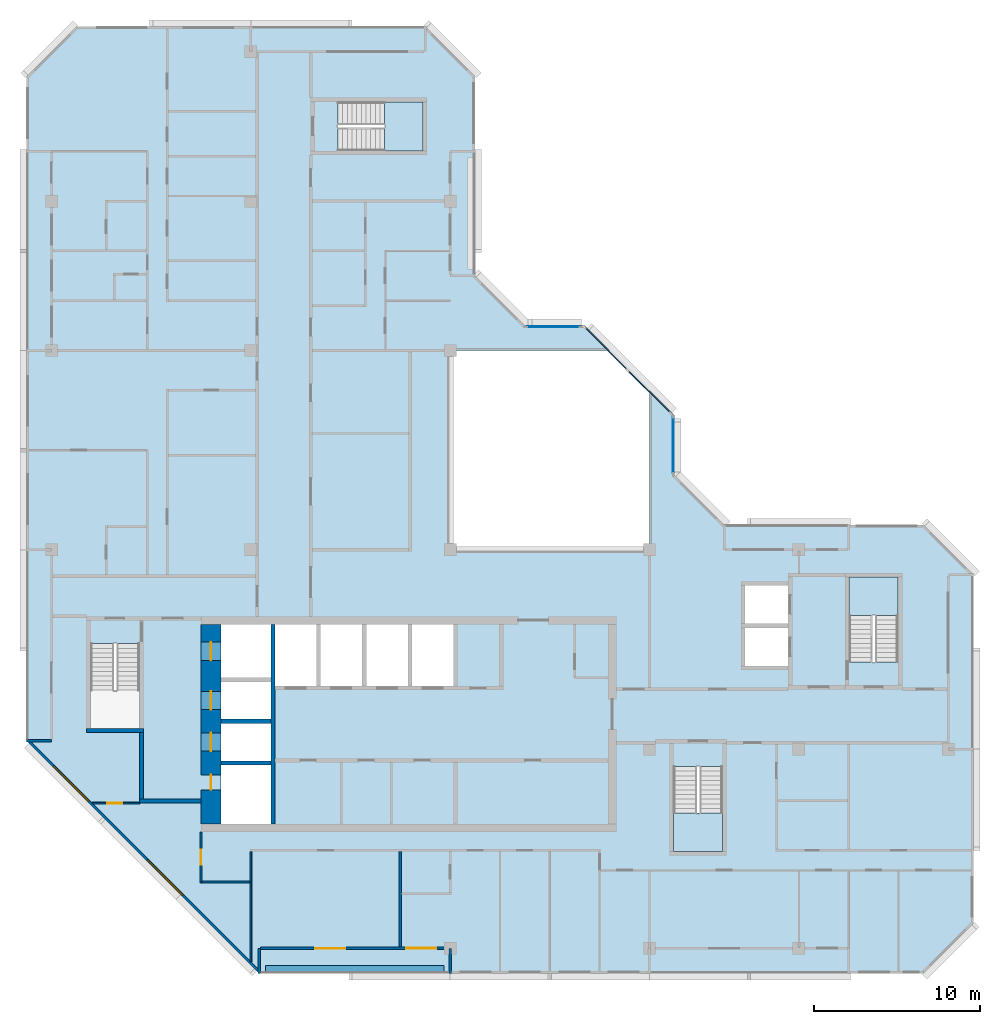
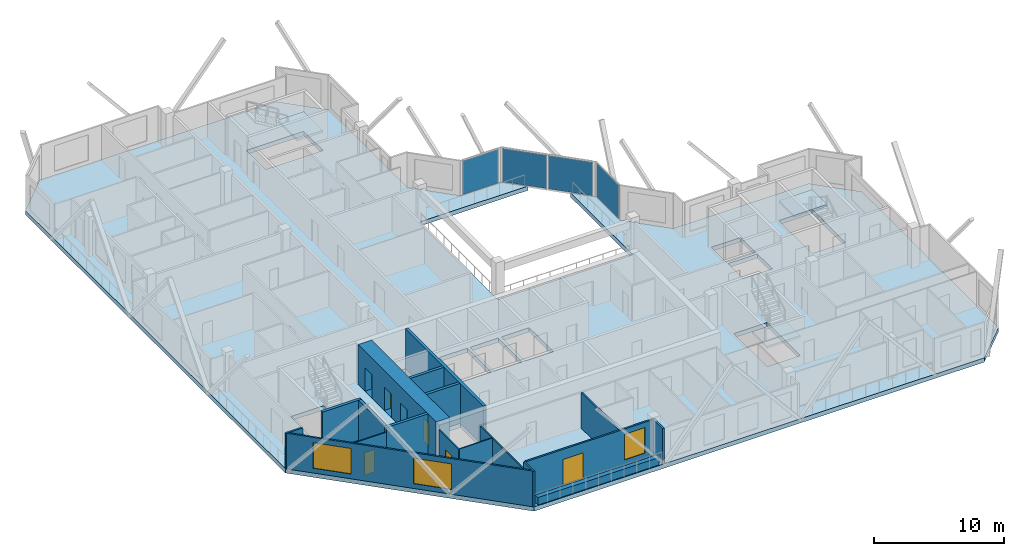
# One storey, part 3 of 12: 18 walls, 7 doors, 4 plates, 4 slabs, 3 windows, 10 openings, 6 elements without a shape of their own.
"""IFC4 building model written with IfcOpenShell, lengths in metres."""

from ifc_helpers import new_model, si_unit, direction, frame, frame_2d, origin, origin_2d, place, context, subcontext, project, spatial, polyline, rectangle, outline, extrude, material, layer, layer_set, type_object, element, fill, aggregate, save


model = new_model("IFC4")

# Units and contexts
model_context = context("Model", 3, precision=1e-05, world=origin(), true_north=direction((0.0, 1.0)))
body_context = subcontext(model_context, "Body", "Model", "MODEL_VIEW")
ifc_project = project(units=[si_unit("LENGTHUNIT", "METRE"), si_unit("AREAUNIT", "SQUARE_METRE"), si_unit("VOLUMEUNIT", "CUBIC_METRE"), si_unit("PLANEANGLEUNIT", "RADIAN"), si_unit("MASSUNIT", "GRAM", prefix="KILO")], contexts=[model_context])

# Site, building, storey
site_placement = place(None, origin())
site = spatial("IfcSite", under=ifc_project, at=site_placement, CompositionType="ELEMENT")
building_placement = place(site_placement, origin())
building = spatial("IfcBuilding", under=site, at=building_placement, Name="Chenar Terraces", CompositionType="ELEMENT")
storey_placement = place(building_placement, frame((0.0, 0.0, 346.39990234375)))
storey = spatial("IfcBuildingStorey", under=building, at=storey_placement, Name="L80", CompositionType="ELEMENT", Elevation=346.39990234375)

# Curtain wall, plate
ifc_material_1 = material(Name="Aluminium framed glazing", Category="aluminium")
ifc_layer_1 = layer(ifc_material_1, 0.14990234375)
ifc_layer_set_1 = layer_set([ifc_layer_1], Name="Aluminium framed glazing")
curtain_wall_type = type_object("IfcCurtainWallType", Name="Atrium upper-zone curtain wall", PredefinedType="NOTDEFINED", material=ifc_layer_set_1)
placement_1 = place(storey_placement, origin())
curtain_wall_1 = element("IfcCurtainWall", 1, at=placement_1, inside=storey, type_object=curtain_wall_type, Name="Atrium upper-zone curtain wall", PredefinedType="NOTDEFINED")
ifc_material_2 = material(Name="Low emissivity laminated glass, solar control coating", Category="glass")
ifc_layer_2 = layer(ifc_material_2, 0.050048828125)
ifc_layer_set_2 = layer_set([ifc_layer_2], Name="Low emissivity laminated glass, solar control coating")
plate_type = type_object("IfcPlateType", Name="Atrium upper-zone glazing panel 50", PredefinedType="CURTAIN_PANEL", material=ifc_layer_set_2)
plate_1_placement = place(storey_placement, frame((37.425048828125, 30.300048828125, 0.10009765625), z_axis=(0.0, 0.0, 1.0), x_axis=(0.0, 1.0, 0.0)))
plate_1 = element("IfcPlate", 2, at=plate_1_placement, type_object=plate_type, Name="CW8-1 panel 1.1", PredefinedType="CURTAIN_PANEL", context=body_context, shape_type="SweptSolid", body=[
    extrude(rectangle(XDim=3.39990234375, YDim=0.050048828125, at=origin_2d()), origin(), (0.0, 0.0, 1.0), 3.14990234375),
])
aggregate(curtain_wall_1, [plate_1])

# Curtain wall, plates
curtain_wall_2 = element("IfcCurtainWall", 3, at=placement_1, inside=storey, type_object=curtain_wall_type, Name="Atrium upper-zone curtain wall", PredefinedType="NOTDEFINED")
plate_2_placement = place(storey_placement, frame((35.97314453125, 33.520751953125, 0.10009765625), z_axis=(0.0, 0.0, 1.0), x_axis=(-0.707106781187, 0.707106781187, 0.0)))
plate_2 = element("IfcPlate", 4, at=plate_2_placement, type_object=plate_type, Name="CW8-2 panel 1.1", PredefinedType="CURTAIN_PANEL", context=body_context, shape_type="SweptSolid", body=[
    extrude(rectangle(XDim=3.568359375, YDim=0.050048828125, at=origin_2d()), origin(), (0.0, 0.0, 1.0), 3.14990234375),
])
plate_3_placement = place(storey_placement, frame((33.379150390625, 36.11474609375, 0.10009765625), z_axis=(0.0, 0.0, 1.0), x_axis=(-0.707106781187, 0.707106781187, 0.0)))
plate_3 = element("IfcPlate", 5, at=plate_3_placement, type_object=plate_type, Name="CW8-2 panel 2.1", PredefinedType="CURTAIN_PANEL", context=body_context, shape_type="SweptSolid", body=[
    extrude(rectangle(XDim=3.568359375, YDim=0.050048828125, at=origin_2d()), origin(), (0.0, 0.0, 1.0), 3.14990234375),
])
aggregate(curtain_wall_2, [plate_2, plate_3])

# Curtain wall, plate
curtain_wall_3 = element("IfcCurtainWall", 6, at=placement_1, inside=storey, type_object=curtain_wall_type, Name="Atrium upper-zone curtain wall", PredefinedType="NOTDEFINED")
plate_4_placement = place(storey_placement, frame((30.199951171875, 37.425048828125, 0.10009765625), z_axis=(0.0, 0.0, 1.0), x_axis=(-1.0, 0.0, 0.0)))
plate_4 = element("IfcPlate", 7, at=plate_4_placement, type_object=plate_type, Name="CW8-3 panel 1.1", PredefinedType="CURTAIN_PANEL", context=body_context, shape_type="SweptSolid", body=[
    extrude(rectangle(XDim=3.199951171875, YDim=0.050048828125, at=origin_2d()), origin(), (0.0, 0.0, 1.0), 3.14990234375),
])
aggregate(curtain_wall_3, [plate_4])

# Stair, slab
ifc_material_3 = material(Name="Reinforced concrete C40/50", Category="concrete")
stair_type = type_object("IfcStairType", Name="Core stair 1400 half-turn", PredefinedType="HALF_TURN_STAIR", material=ifc_material_3)
stair_1 = element("IfcStair", 8, at=placement_1, inside=storey, type_object=stair_type, Name="L80 Stair 2", PredefinedType="HALF_TURN_STAIR")
ifc_material_4 = material(Name="Reinforced concrete C40/50", Category="concrete")
ifc_layer_3 = layer(ifc_material_4, 0.199951171875)
ifc_layer_set_3 = layer_set([ifc_layer_3], Name="Reinforced concrete C40/50")
slab_type_1 = type_object("IfcSlabType", Name="Core stair landing 200", PredefinedType="LANDING", material=ifc_layer_set_3)
placement_2 = place(storey_placement, frame((0.0, 0.0, 1.675048828125)))
slab_1 = element("IfcSlab", 9, at=placement_2, type_object=slab_type_1, Name="ST2 landing 1", PredefinedType="LANDING", context=body_context, shape_type="SweptSolid", body=[
    extrude(outline(polyline([(37.449951171875, 8.14990234375), (37.449951171875, 5.85009765625), (40.39990234375, 5.85009765625), (40.39990234375, 8.14990234375), (37.449951171875, 8.14990234375)])), origin(), (0.0, 0.0, 1.0), 0.199951171875),
])
aggregate(stair_1, [slab_1])

stair_2 = element("IfcStair", 10, at=placement_1, inside=storey, type_object=stair_type, Name="L80 Stair 3", PredefinedType="HALF_TURN_STAIR")
slab_2 = element("IfcSlab", 11, at=placement_2, type_object=slab_type_1, Name="ST3 landing 1", PredefinedType="LANDING", context=body_context, shape_type="SweptSolid", body=[
    extrude(outline(polyline([(50.97509765625, 20.050048828125), (50.97509765625, 22.35009765625), (48.02490234375, 22.35009765625), (48.02490234375, 20.050048828125), (50.97509765625, 20.050048828125)])), origin(), (0.0, 0.0, 1.0), 0.199951171875),
])
aggregate(stair_2, [slab_2])

stair_3 = element("IfcStair", 12, at=placement_1, inside=storey, type_object=stair_type, Name="L80 Stair 4", PredefinedType="HALF_TURN_STAIR")
slab_3 = element("IfcSlab", 13, at=placement_2, type_object=slab_type_1, Name="ST4 landing 1", PredefinedType="LANDING", context=body_context, shape_type="SweptSolid", body=[
    extrude(outline(polyline([(20.050048828125, 48.02490234375), (22.35009765625, 48.02490234375), (22.35009765625, 50.97509765625), (20.050048828125, 50.97509765625), (20.050048828125, 48.02490234375)])), origin(), (0.0, 0.0, 1.0), 0.199951171875),
])
aggregate(stair_3, [slab_3])

# Slab
ifc_material_5 = material(Name="Concrete C40/50", Category="concrete")
ifc_layer_4 = layer(ifc_material_5, 0.39990234375)
ifc_layer_set_4 = layer_set([ifc_layer_4], Name="Concrete C40/50")
slab_type_2 = type_object("IfcSlabType", Name="Floor slab 400 Concrete C40/50", PredefinedType="FLOOR", material=ifc_layer_set_4)
slab_4_placement = place(storey_placement, frame((0.0, 0.0, -0.39990234375)))
element("IfcSlab", 14, at=slab_4_placement, inside=storey, type_object=slab_type_2, Name="Floor slab L80", PredefinedType="FLOOR", context=body_context, shape_type="SweptSolid", body=[
    extrude(outline(polyline([(55.5, 22.5), (55.5, 1.5), (52.5, -1.5), (12.5, -1.5), (-1.5, 12.5), (-1.5, 52.5), (1.5, 55.5), (22.5, 55.5), (25.5, 52.5), (25.5, 40.5), (28.5, 37.5), (32.10009765625, 37.5), (33.60009765625, 36.0), (24.0, 36.0), (24.0, 24.0), (36.0, 24.0), (36.0, 33.60009765625), (37.5, 32.10009765625), (37.5, 28.5), (40.5, 25.5), (52.5, 25.5), (55.5, 22.5)]), holes=[polyline([(10.199951171875, 11.050048828125), (10.199951171875, 7.5), (13.199951171875, 7.5), (13.199951171875, 11.050048828125), (10.199951171875, 11.050048828125)]), polyline([(13.199951171875, 13.550048828125), (10.199951171875, 13.550048828125), (10.199951171875, 11.300048828125), (13.199951171875, 11.300048828125), (13.199951171875, 13.550048828125)]), polyline([(13.199951171875, 16.050048828125), (10.199951171875, 16.050048828125), (10.199951171875, 13.800048828125), (13.199951171875, 13.800048828125), (13.199951171875, 16.050048828125)]), polyline([(2.35009765625, 13.25), (5.300048828125, 13.25), (5.300048828125, 18.35009765625), (2.35009765625, 18.35009765625), (2.35009765625, 13.25)]), polyline([(15.949951171875, 19.5), (13.449951171875, 19.5), (13.449951171875, 15.800048828125), (15.949951171875, 15.800048828125), (15.949951171875, 19.5)]), polyline([(18.699951171875, 19.5), (16.199951171875, 19.5), (16.199951171875, 15.800048828125), (18.699951171875, 15.800048828125), (18.699951171875, 19.5)]), polyline([(13.199951171875, 19.5), (10.199951171875, 19.5), (10.199951171875, 16.300048828125), (13.199951171875, 16.300048828125), (13.199951171875, 19.5)]), polyline([(22.35009765625, 48.02490234375), (22.35009765625, 50.97509765625), (17.25, 50.97509765625), (17.25, 48.02490234375), (22.35009765625, 48.02490234375)]), polyline([(37.449951171875, 5.85009765625), (40.39990234375, 5.85009765625), (40.39990234375, 10.949951171875), (37.449951171875, 10.949951171875), (37.449951171875, 5.85009765625)]), polyline([(21.449951171875, 19.5), (18.949951171875, 19.5), (18.949951171875, 15.800048828125), (21.449951171875, 15.800048828125), (21.449951171875, 19.5)]), polyline([(24.199951171875, 19.5), (21.699951171875, 19.5), (21.699951171875, 15.800048828125), (24.199951171875, 15.800048828125), (24.199951171875, 19.5)]), polyline([(44.35009765625, 19.300048828125), (41.75, 19.300048828125), (41.75, 17.0), (44.35009765625, 17.0), (44.35009765625, 19.300048828125)]), polyline([(50.97509765625, 22.35009765625), (48.02490234375, 22.35009765625), (48.02490234375, 17.25), (50.97509765625, 17.25), (50.97509765625, 22.35009765625)]), polyline([(44.35009765625, 21.85009765625), (41.75, 21.85009765625), (41.75, 19.550048828125), (44.35009765625, 19.550048828125), (44.35009765625, 21.85009765625)])]), origin(), (0.0, 0.0, 1.0), 0.39990234375),
])

# Wall, openings, doors
ifc_material_6 = material(Name="Concrete C50/60", Category="concrete")
ifc_layer_5 = layer(ifc_material_6, 1.199951171875)
ifc_layer_set_5 = layer_set([ifc_layer_5], Name="Concrete C50/60")
wall_type_1 = type_object("IfcWallType", Name="Core wall 1200 Concrete C50/60", PredefinedType="SHEAR", material=ifc_layer_set_5)
wall_1_placement = place(storey_placement, frame((9.60009765625, 7.5, 0.0), z_axis=(0.0, 0.0, 1.0), x_axis=(0.0, 1.0, 0.0)))
wall_1 = element("IfcWall", 15, at=wall_1_placement, inside=storey, type_object=wall_type_1, Name="Core wall W L80", PredefinedType="SHEAR", context=body_context, shape_type="SweptSolid", body=[
    extrude(rectangle(XDim=12.0, YDim=1.199951171875, at=frame_2d((6.0, 0.0))), origin(), (0.0, 0.0, 1.0), 3.75),
])
opening_1_placement = place(wall_1_placement, frame((4.375, 0.0, 0.0)))
opening_1 = element("IfcOpeningElement", 16, at=opening_1_placement, cuts=wall_1, Name="Opening DL80-LD5", PredefinedType="OPENING", context=body_context, shape_type="SweptSolid", body=[
    extrude(rectangle(XDim=1.10009765625, YDim=2.199951171875, at=frame_2d((0.550048828125, 1.10009765625))), frame((0.0, 0.60986328125, 0.0), z_axis=(0.0, -1.0, 0.0), x_axis=(1.0, 0.0, 0.0)), (0.0, 0.0, 1.0), 1.219970703125),
])
opening_2_placement = place(wall_1_placement, frame((6.875, 0.0, 0.0)))
opening_2 = element("IfcOpeningElement", 17, at=opening_2_placement, cuts=wall_1, Name="Opening DL80-LD6", PredefinedType="OPENING", context=body_context, shape_type="SweptSolid", body=[
    extrude(rectangle(XDim=1.10009765625, YDim=2.199951171875, at=frame_2d((0.550048828125, 1.10009765625))), frame((0.0, 0.60986328125, 0.0), z_axis=(0.0, -1.0, 0.0), x_axis=(1.0, 0.0, 0.0)), (0.0, 0.0, 1.0), 1.219970703125),
])
opening_3_placement = place(wall_1_placement, frame((9.85009765625, 0.0, 0.0)))
opening_3 = element("IfcOpeningElement", 18, at=opening_3_placement, cuts=wall_1, Name="Opening DL80-LD7", PredefinedType="OPENING", context=body_context, shape_type="SweptSolid", body=[
    extrude(rectangle(XDim=1.10009765625, YDim=2.199951171875, at=frame_2d((0.550048828125, 1.10009765625))), frame((0.0, 0.60986328125, 0.0), z_axis=(0.0, -1.0, 0.0), x_axis=(1.0, 0.0, 0.0)), (0.0, 0.0, 1.0), 1.219970703125),
])
opening_4_placement = place(wall_1_placement, frame((2.050048828125, 0.0, 0.0)))
opening_4 = element("IfcOpeningElement", 19, at=opening_4_placement, cuts=wall_1, Name="Opening DL80-C4", PredefinedType="OPENING", context=body_context, shape_type="SweptSolid", body=[
    extrude(rectangle(XDim=0.89990234375, YDim=2.10009765625, at=frame_2d((0.449951171875, 1.050048828125))), frame((0.0, 0.60986328125, 0.0), z_axis=(0.0, -1.0, 0.0), x_axis=(1.0, 0.0, 0.0)), (0.0, 0.0, 1.0), 1.219970703125),
])
ifc_material_7 = material(Name="Stainless steel", Category="steel")
door_type_1 = type_object("IfcDoorType", Name="Lift landing door 1100 x 2200 sliding", OperationType="DOUBLE_DOOR_SLIDING", PredefinedType="DOOR", material=ifc_material_7)
door_1_placement = place(opening_1_placement, origin())
door_1 = element("IfcDoor", 20, at=door_1_placement, inside=storey, type_object=door_type_1, Name="Landing door S1", OperationType="DOUBLE_DOOR_SLIDING", OverallHeight=2.199951171875, OverallWidth=1.10009765625, PredefinedType="DOOR", context=body_context, shape_type="SweptSolid", body=[
    extrude(rectangle(XDim=1.10009765625, YDim=2.199951171875, at=frame_2d((0.550048828125, 1.10009765625))), frame((0.0, 0.02490234375, 0.0), z_axis=(0.0, -1.0, 0.0), x_axis=(1.0, 0.0, 0.0)), (0.0, 0.0, 1.0), 0.050048828125),
])
fill(opening_1, door_1)
door_2_placement = place(opening_2_placement, origin())
door_2 = element("IfcDoor", 21, at=door_2_placement, inside=storey, type_object=door_type_1, Name="Landing door F1", OperationType="DOUBLE_DOOR_SLIDING", OverallHeight=2.199951171875, OverallWidth=1.10009765625, PredefinedType="DOOR", context=body_context, shape_type="SweptSolid", body=[
    extrude(rectangle(XDim=1.10009765625, YDim=2.199951171875, at=frame_2d((0.550048828125, 1.10009765625))), frame((0.0, 0.02490234375, 0.0), z_axis=(0.0, -1.0, 0.0), x_axis=(1.0, 0.0, 0.0)), (0.0, 0.0, 1.0), 0.050048828125),
])
fill(opening_2, door_2)
door_3_placement = place(opening_3_placement, origin())
door_3 = element("IfcDoor", 22, at=door_3_placement, inside=storey, type_object=door_type_1, Name="Landing door F2", OperationType="DOUBLE_DOOR_SLIDING", OverallHeight=2.199951171875, OverallWidth=1.10009765625, PredefinedType="DOOR", context=body_context, shape_type="SweptSolid", body=[
    extrude(rectangle(XDim=1.10009765625, YDim=2.199951171875, at=frame_2d((0.550048828125, 1.10009765625))), frame((0.0, 0.02490234375, 0.0), z_axis=(0.0, -1.0, 0.0), x_axis=(1.0, 0.0, 0.0)), (0.0, 0.0, 1.0), 0.050048828125),
])
fill(opening_3, door_3)
ifc_material_8 = material(Name="Steel-framed fire-resisting door leaf", Category="steel")
door_type_2 = type_object("IfcDoorType", Name="Riser fire door FD60 900 x 2100", OperationType="SINGLE_SWING_LEFT", PredefinedType="DOOR", material=ifc_material_8)
door_4_placement = place(opening_4_placement, frame((0.89990234375, 0.0, 0.0), z_axis=(0.0, 0.0, 1.0), x_axis=(-1.0, 0.0, 0.0)))
door_4 = element("IfcDoor", 23, at=door_4_placement, inside=storey, type_object=door_type_2, Name="Riser door DL80-C4", OperationType="SINGLE_SWING_LEFT", OverallHeight=2.10009765625, OverallWidth=0.89990234375, PredefinedType="DOOR", context=body_context, shape_type="SweptSolid", body=[
    extrude(rectangle(XDim=0.89990234375, YDim=2.10009765625, at=frame_2d((0.449951171875, 1.050048828125))), frame((0.0, 0.02490234375, 0.0), z_axis=(0.0, -1.0, 0.0), x_axis=(1.0, 0.0, 0.0)), (0.0, 0.0, 1.0), 0.050048828125),
])
fill(opening_4, door_4)

# Walls
ifc_material_9 = material(Name="Concrete C50/60", Category="concrete")
ifc_layer_6 = layer(ifc_material_9, 0.25)
ifc_layer_set_6 = layer_set([ifc_layer_6], Name="Concrete C50/60")
wall_type_2 = type_object("IfcWallType", Name="Core wall 250 Concrete C50/60", PredefinedType="SHEAR", material=ifc_layer_set_6)
wall_2_placement = place(storey_placement, frame((13.324951171875, 7.5, 0.0), z_axis=(0.0, 0.0, 1.0), x_axis=(0.0, 1.0, 0.0)))
element("IfcWall", 24, at=wall_2_placement, inside=storey, type_object=wall_type_2, Name="Core wall WI L80", PredefinedType="SHEAR", context=body_context, shape_type="SweptSolid", body=[
    extrude(rectangle(XDim=12.0, YDim=0.25, at=frame_2d((6.0, 0.0))), origin(), (0.0, 0.0, 1.0), 3.75),
])
for number, where, z_axis, x_axis, name in (
    (25, (10.199951171875, 11.175048828125, 0.0), (0.0, 0.0, 1.0), (1.0, 0.0, 0.0), "Core wall HW0 L80"),
    (26, (10.199951171875, 13.675048828125, 0.0), (0.0, 0.0, 1.0), (1.0, 0.0, 0.0), "Core wall HW1 L80"),
):
    element("IfcWall", number, at=place(storey_placement, frame(where, z_axis=z_axis, x_axis=x_axis)), inside=storey, type_object=wall_type_2, Name=name, PredefinedType="SHEAR", context=body_context, shape_type="SweptSolid", body=[
        extrude(rectangle(XDim=3.0, YDim=0.25, at=frame_2d((1.5, 0.0))), origin(), (0.0, 0.0, 1.0), 3.75),
    ])
wall_3_placement = place(storey_placement, frame((2.10009765625, 13.125, 0.0), z_axis=(0.0, 0.0, 1.0), x_axis=(1.0, 0.0, 0.0)))
element("IfcWall", 27, at=wall_3_placement, inside=storey, type_object=wall_type_2, Name="Core wall ST1_S L80", PredefinedType="SHEAR", context=body_context, shape_type="SweptSolid", body=[
    extrude(rectangle(XDim=3.449951171875, YDim=0.25, at=frame_2d((1.72509765625, 0.0))), origin(), (0.0, 0.0, 1.0), 3.75),
])
wall_4_placement = place(storey_placement, frame((5.300048828125, 8.875, 0.0), z_axis=(0.0, 0.0, 1.0), x_axis=(1.0, 0.0, 0.0)))
element("IfcWall", 28, at=wall_4_placement, inside=storey, type_object=wall_type_2, Name="Core wall FFL_S L80", PredefinedType="SHEAR", context=body_context, shape_type="SweptSolid", body=[
    extrude(rectangle(XDim=3.699951171875, YDim=0.25, at=frame_2d((1.85009765625, 0.0))), origin(), (0.0, 0.0, 1.0), 3.75),
])
wall_5_placement = place(storey_placement, frame((5.425048828125, 9.0, 0.0), z_axis=(0.0, 0.0, 1.0), x_axis=(0.0, 1.0, 0.0)))
element("IfcWall", 29, at=wall_5_placement, inside=storey, type_object=wall_type_2, Name="Core wall FFL_W L80", PredefinedType="SHEAR", context=body_context, shape_type="SweptSolid", body=[
    extrude(rectangle(XDim=4.0, YDim=0.25, at=frame_2d((2.0, 0.0))), origin(), (0.0, 0.0, 1.0), 3.75),
])

# Wall, openings, window, door
ifc_material_10 = material(Name="Aluminium framed glazing", Category="aluminium")
ifc_layer_7 = layer(ifc_material_10, 0.14990234375)
ifc_layer_set_7 = layer_set([ifc_layer_7], Name="Aluminium framed glazing")
wall_type_3 = type_object("IfcWallType", Name="Glazed loggia back wall 150", PredefinedType="SOLIDWALL", material=ifc_layer_set_7)
wall_6_placement = place(storey_placement, frame((12.574951171875, 0.0, 0.0), z_axis=(0.0, 0.0, 1.0), x_axis=(1.0, 0.0, 0.0)))
wall_6 = element("IfcWall", 30, at=wall_6_placement, inside=storey, type_object=wall_type_3, Name="Glazed loggia back wall", PredefinedType="SOLIDWALL", context=body_context, shape_type="SweptSolid", body=[
    extrude(rectangle(XDim=11.35009765625, YDim=0.14990234375, at=frame_2d((5.675048828125, 0.0))), origin(), (0.0, 0.0, 1.0), 3.35009765625),
])
opening_5_placement = place(wall_6_placement, frame((3.3125, 0.0, 0.0)))
opening_5 = element("IfcOpeningElement", 31, at=opening_5_placement, cuts=wall_6, Name="Opening DL80-G3", PredefinedType="OPENING", context=body_context, shape_type="SweptSolid", body=[
    extrude(rectangle(XDim=1.800048828125, YDim=2.39990234375, at=frame_2d((0.89990234375, 1.199951171875))), frame((0.0, 0.0849609375, 0.0), z_axis=(0.0, -1.0, 0.0), x_axis=(1.0, 0.0, 0.0)), (0.0, 0.0, 1.0), 0.169921875),
])
opening_6_placement = place(wall_6_placement, frame((8.78759765625, 0.0, 0.449951171875)))
opening_6 = element("IfcOpeningElement", 32, at=opening_6_placement, cuts=wall_6, Name="Opening W180x240", PredefinedType="OPENING", context=body_context, shape_type="SweptSolid", body=[
    extrude(rectangle(XDim=1.800048828125, YDim=2.39990234375, at=frame_2d((0.89990234375, 1.199951171875))), frame((0.0, 0.0849609375, 0.0), z_axis=(0.0, -1.0, 0.0), x_axis=(1.0, 0.0, 0.0)), (0.0, 0.0, 1.0), 0.169921875),
])
ifc_material_11 = material(Name="Low emissivity double glazing, aluminium frame", Category="aluminium")
window_type_1 = type_object("IfcWindowType", Name="Fixed light 1800 x 2400", PartitioningType="SINGLE_PANEL", PredefinedType="WINDOW", material=ifc_material_11)
window_1_placement = place(opening_6_placement, origin())
window_1 = element("IfcWindow", 33, at=window_1_placement, inside=storey, type_object=window_type_1, Name="Window", OverallHeight=2.39990234375, OverallWidth=1.800048828125, PartitioningType="SINGLE_PANEL", PredefinedType="WINDOW", context=body_context, shape_type="SweptSolid", body=[
    extrude(rectangle(XDim=1.800048828125, YDim=2.39990234375, at=frame_2d((0.89990234375, 1.199951171875))), frame((0.0, 0.030029296875, 0.0), z_axis=(0.0, -1.0, 0.0), x_axis=(1.0, 0.0, 0.0)), (0.0, 0.0, 1.0), 0.06005859375),
])
fill(opening_6, window_1)
ifc_material_12 = material(Name="Low emissivity double glazing, aluminium frame", Category="aluminium")
door_type_3 = type_object("IfcDoorType", Name="Loggia glazed double door 1800 x 2400", OperationType="DOUBLE_DOOR_SINGLE_SWING", PredefinedType="DOOR", material=ifc_material_12)
door_5_placement = place(opening_5_placement, frame((1.800048828125, 0.0, 0.0), z_axis=(0.0, 0.0, 1.0), x_axis=(-1.0, 0.0, 0.0)))
door_5 = element("IfcDoor", 34, at=door_5_placement, inside=storey, type_object=door_type_3, Name="Loggia glazed door", OperationType="DOUBLE_DOOR_SINGLE_SWING", OverallHeight=2.39990234375, OverallWidth=1.800048828125, PredefinedType="DOOR", context=body_context, shape_type="SweptSolid", body=[
    extrude(rectangle(XDim=1.800048828125, YDim=2.39990234375, at=frame_2d((0.89990234375, 1.199951171875))), frame((0.0, 0.02490234375, 0.0), z_axis=(0.0, -1.0, 0.0), x_axis=(1.0, 0.0, 0.0)), (0.0, 0.0, 1.0), 0.050048828125),
])
fill(opening_5, door_5)

# Wall, opening, door
ifc_material_13 = material(Name="Gypsum board on steel studs", Category="steel")
ifc_layer_8 = layer(ifc_material_13, 0.10009765625)
ifc_layer_set_8 = layer_set([ifc_layer_8], Name="Gypsum board on steel studs")
wall_type_4 = type_object("IfcWallType", Name="Gypsum partition 100", PredefinedType="PARTITIONING", material=ifc_layer_set_8)
wall_7_placement = place(storey_placement, frame((2.4609375, 8.75, 0.0), z_axis=(0.0, 0.0, 1.0), x_axis=(1.0, 0.0, 0.0)))
wall_7 = element("IfcWall", 35, at=wall_7_placement, inside=storey, type_object=wall_type_4, Name="Partition L80-008", PredefinedType="PARTITIONING", context=body_context, shape_type="SweptSolid", body=[
    extrude(rectangle(XDim=2.839111328125, YDim=0.10009765625, at=frame_2d((1.41943359375, 0.0))), origin(), (0.0, 0.0, 1.0), 3.35009765625),
])
opening_7_placement = place(wall_7_placement, frame((0.888916015625, 0.0, 0.0)))
opening_7 = element("IfcOpeningElement", 36, at=opening_7_placement, cuts=wall_7, Name="Opening DL80-33", PredefinedType="OPENING", context=body_context, shape_type="SweptSolid", body=[
    extrude(rectangle(XDim=0.89990234375, YDim=2.10009765625, at=frame_2d((0.449951171875, 1.050048828125))), frame((0.0, 0.06005859375, 0.0), z_axis=(0.0, -1.0, 0.0), x_axis=(1.0, 0.0, 0.0)), (0.0, 0.0, 1.0), 0.1201171875),
])
ifc_material_14 = material(Name="Veneered timber door leaf", Category="wood")
door_type_4 = type_object("IfcDoorType", Name="Door 900 x 2100", OperationType="SINGLE_SWING_LEFT", PredefinedType="DOOR", material=ifc_material_14)
door_6_placement = place(opening_7_placement, frame((0.89990234375, 0.0, 0.0), z_axis=(0.0, 0.0, 1.0), x_axis=(-1.0, 0.0, 0.0)))
door_6 = element("IfcDoor", 37, at=door_6_placement, inside=storey, type_object=door_type_4, Name="Door DL80-33", OperationType="SINGLE_SWING_RIGHT", OverallHeight=2.10009765625, OverallWidth=0.89990234375, PredefinedType="DOOR", context=body_context, shape_type="SweptSolid", body=[
    extrude(rectangle(XDim=0.89990234375, YDim=2.10009765625, at=frame_2d((0.449951171875, 1.050048828125))), frame((0.0, 0.02490234375, 0.0), z_axis=(0.0, -1.0, 0.0), x_axis=(1.0, 0.0, 0.0)), (0.0, 0.0, 1.0), 0.050048828125),
])
fill(opening_7, door_6)

wall_8_placement = place(storey_placement, frame((9.0, 3.949951171875, 0.0), z_axis=(0.0, 0.0, 1.0), x_axis=(0.0, 1.0, 0.0)))
wall_8 = element("IfcWall", 38, at=wall_8_placement, inside=storey, type_object=wall_type_4, Name="Partition L80-026", PredefinedType="PARTITIONING", context=body_context, shape_type="SweptSolid", body=[
    extrude(rectangle(XDim=3.050048828125, YDim=0.10009765625, at=frame_2d((1.52490234375, 0.0))), origin(), (0.0, 0.0, 1.0), 3.35009765625),
])
opening_8_placement = place(wall_8_placement, frame((1.10009765625, 0.0, 0.0)))
opening_8 = element("IfcOpeningElement", 39, at=opening_8_placement, cuts=wall_8, Name="Opening DL80-32", PredefinedType="OPENING", context=body_context, shape_type="SweptSolid", body=[
    extrude(rectangle(XDim=0.89990234375, YDim=2.10009765625, at=frame_2d((0.449951171875, 1.050048828125))), frame((0.0, 0.06005859375, 0.0), z_axis=(0.0, -1.0, 0.0), x_axis=(1.0, 0.0, 0.0)), (0.0, 0.0, 1.0), 0.1201171875),
])
door_7_placement = place(opening_8_placement, origin())
door_7 = element("IfcDoor", 40, at=door_7_placement, inside=storey, type_object=door_type_4, Name="Door DL80-32", OperationType="SINGLE_SWING_LEFT", OverallHeight=2.10009765625, OverallWidth=0.89990234375, PredefinedType="DOOR", context=body_context, shape_type="SweptSolid", body=[
    extrude(rectangle(XDim=0.89990234375, YDim=2.10009765625, at=frame_2d((0.449951171875, 1.050048828125))), frame((0.0, 0.02490234375, 0.0), z_axis=(0.0, -1.0, 0.0), x_axis=(1.0, 0.0, 0.0)), (0.0, 0.0, 1.0), 0.050048828125),
])
fill(opening_8, door_7)

# Walls
wall_9_placement = place(storey_placement, frame((9.050048828125, 4.0, 0.0), z_axis=(0.0, 0.0, 1.0), x_axis=(1.0, 0.0, 0.0)))
element("IfcWall", 41, at=wall_9_placement, inside=storey, type_object=wall_type_4, Name="Partition L80-027", PredefinedType="PARTITIONING", context=body_context, shape_type="SweptSolid", body=[
    extrude(rectangle(XDim=2.89990234375, YDim=0.10009765625, at=frame_2d((1.449951171875, 0.0))), origin(), (0.0, 0.0, 1.0), 3.35009765625),
])
wall_10_placement = place(storey_placement, frame((12.0, -0.787841796875, 0.0), z_axis=(0.0, 0.0, 1.0), x_axis=(0.0, 1.0, 0.0)))
element("IfcWall", 42, at=wall_10_placement, inside=storey, type_object=wall_type_4, Name="Partition L80-029", PredefinedType="PARTITIONING", context=body_context, shape_type="SweptSolid", body=[
    extrude(rectangle(XDim=6.61279296875, YDim=0.10009765625, at=frame_2d((3.306396484375, 0.0))), origin(), (0.0, 0.0, 1.0), 3.35009765625),
])
ifc_material_15 = material(Name="Terracotta cladding on insulated backing", Category="masonry")
ifc_layer_9 = layer(ifc_material_15, 0.14990234375)
ifc_layer_set_9 = layer_set([ifc_layer_9], Name="Terracotta cladding on insulated backing")
wall_type_5 = type_object("IfcWallType", Name="Loggia return wall 150", PredefinedType="SOLIDWALL", material=ifc_layer_set_9)
for number, where, z_axis, x_axis, name in (
    (43, (-1.5, 12.5, 0.0), (0.0, 0.0, 1.0), (1.0, 0.0, 0.0), "Loggia return wall"),
    (44, (12.5, -1.5, 0.0), (0.0, 0.0, 1.0), (0.0, 1.0, 0.0), "Loggia return wall"),
    (45, (24.0, -1.5, 0.0), (0.0, 0.0, 1.0), (0.0, 1.0, 0.0), "Loggia return wall"),
):
    element("IfcWall", number, at=place(storey_placement, frame(where, z_axis=z_axis, x_axis=x_axis)), inside=storey, type_object=wall_type_5, Name=name, PredefinedType="SOLIDWALL", context=body_context, shape_type="SweptSolid", body=[
        extrude(rectangle(XDim=1.5, YDim=0.14990234375, at=frame_2d((0.75, 0.0))), origin(), (0.0, 0.0, 1.0), 3.35009765625),
    ])

# Wall, openings, windows
ifc_material_16 = material(Name="Terracotta cladding on insulated backing", Category="masonry")
ifc_layer_10 = layer(ifc_material_16, 0.14990234375)
ifc_layer_set_10 = layer_set([ifc_layer_10], Name="Terracotta cladding on insulated backing")
wall_type_6 = type_object("IfcWallType", Name="Terracotta rainscreen wall 150", PredefinedType="SOLIDWALL", material=ifc_layer_set_10)
wall_11_placement = place(storey_placement, frame((-1.447021484375, 12.552978515625, 0.0), z_axis=(0.0, 0.0, 1.0), x_axis=(0.707106781187, -0.707106781187, 0.0)))
wall_11 = element("IfcWall", 46, at=wall_11_placement, inside=storey, type_object=wall_type_6, Name="Terracotta rainscreen wall", PredefinedType="SOLIDWALL", context=body_context, shape_type="SweptSolid", body=[
    extrude(rectangle(XDim=19.799072265625, YDim=0.14990234375, at=frame_2d((9.8994140625, 0.0))), origin(), (0.0, 0.0, 1.0), 3.35009765625),
])
opening_9_placement = place(wall_11_placement, frame((2.21240234375, 0.0, 0.449951171875)))
opening_9 = element("IfcOpeningElement", 47, at=opening_9_placement, cuts=wall_11, Name="Opening W300x240", PredefinedType="OPENING", context=body_context, shape_type="SweptSolid", body=[
    extrude(rectangle(XDim=3.0, YDim=2.39990234375, at=frame_2d((1.5, 1.199951171875))), frame((0.0, 0.0849609375, 0.0), z_axis=(0.0, -1.0, 0.0), x_axis=(1.0, 0.0, 0.0)), (0.0, 0.0, 1.0), 0.169921875),
])
opening_10_placement = place(wall_11_placement, frame((10.215576171875, 0.0, 0.449951171875)))
opening_10 = element("IfcOpeningElement", 48, at=opening_10_placement, cuts=wall_11, Name="Opening W300x240", PredefinedType="OPENING", context=body_context, shape_type="SweptSolid", body=[
    extrude(rectangle(XDim=3.0, YDim=2.39990234375, at=frame_2d((1.5, 1.199951171875))), frame((0.0, 0.0849609375, 0.0), z_axis=(0.0, -1.0, 0.0), x_axis=(1.0, 0.0, 0.0)), (0.0, 0.0, 1.0), 0.169921875),
])
ifc_material_17 = material(Name="Low emissivity double glazing, aluminium frame", Category="aluminium")
window_type_2 = type_object("IfcWindowType", Name="Fixed light 3000 x 2400", PartitioningType="SINGLE_PANEL", PredefinedType="WINDOW", material=ifc_material_17)
window_2_placement = place(opening_9_placement, origin())
window_2 = element("IfcWindow", 49, at=window_2_placement, inside=storey, type_object=window_type_2, Name="Window", OverallHeight=2.39990234375, OverallWidth=3.0, PartitioningType="SINGLE_PANEL", PredefinedType="WINDOW", context=body_context, shape_type="SweptSolid", body=[
    extrude(rectangle(XDim=3.0, YDim=2.39990234375, at=frame_2d((1.5, 1.199951171875))), frame((0.0, 0.030029296875, 0.0), z_axis=(0.0, -1.0, 0.0), x_axis=(1.0, 0.0, 0.0)), (0.0, 0.0, 1.0), 0.06005859375),
])
fill(opening_9, window_2)
window_3_placement = place(opening_10_placement, origin())
window_3 = element("IfcWindow", 50, at=window_3_placement, inside=storey, type_object=window_type_2, Name="Window", OverallHeight=2.39990234375, OverallWidth=3.0, PartitioningType="SINGLE_PANEL", PredefinedType="WINDOW", context=body_context, shape_type="SweptSolid", body=[
    extrude(rectangle(XDim=3.0, YDim=2.39990234375, at=frame_2d((1.5, 1.199951171875))), frame((0.0, 0.030029296875, 0.0), z_axis=(0.0, -1.0, 0.0), x_axis=(1.0, 0.0, 0.0)), (0.0, 0.0, 1.0), 0.06005859375),
])
fill(opening_10, window_3)

# Walls
ifc_material_18 = material(Name="GRP planter trough")
ifc_layer_11 = layer(ifc_material_18, 0.39990234375)
ifc_layer_set_11 = layer_set([ifc_layer_11], Name="GRP planter trough")
wall_type_7 = type_object("IfcWallType", Name="Vertical greenery planter 400", PredefinedType="SOLIDWALL", material=ifc_layer_set_11)
wall_12_placement = place(storey_placement, frame((12.875, -1.22900390625, 0.0), z_axis=(0.0, 0.0, 1.0), x_axis=(1.0, 0.0, 0.0)))
element("IfcWall", 51, at=wall_12_placement, inside=storey, type_object=wall_type_7, Name="Vertical greenery planter", PredefinedType="SOLIDWALL", context=body_context, shape_type="SweptSolid", body=[
    extrude(rectangle(XDim=10.75, YDim=0.39990234375, at=frame_2d((5.375, 0.0))), origin(), (0.0, 0.0, 1.0), 0.7001953125),
])
ifc_material_19 = material(Name="Moisture-resistant gypsum board on steel studs", Category="steel")
ifc_layer_12 = layer(ifc_material_19, 0.14990234375)
ifc_layer_set_12 = layer_set([ifc_layer_12], Name="Moisture-resistant gypsum board on steel studs")
wall_type_8 = type_object("IfcWallType", Name="Wet-room partition 150", PredefinedType="PARTITIONING", material=ifc_layer_set_12)
wall_13_placement = place(storey_placement, frame((21.0, 0.073974609375, 0.0), z_axis=(0.0, 0.0, 1.0), x_axis=(0.0, 1.0, 0.0)))
element("IfcWall", 52, at=wall_13_placement, inside=storey, type_object=wall_type_8, Name="Partition L80-043", PredefinedType="PARTITIONING", context=body_context, shape_type="SweptSolid", body=[
    extrude(rectangle(XDim=5.7509765625, YDim=0.14990234375, at=frame_2d((2.87548828125, 0.0))), origin(), (0.0, 0.0, 1.0), 3.35009765625),
])

save(model, "model.ifc")
